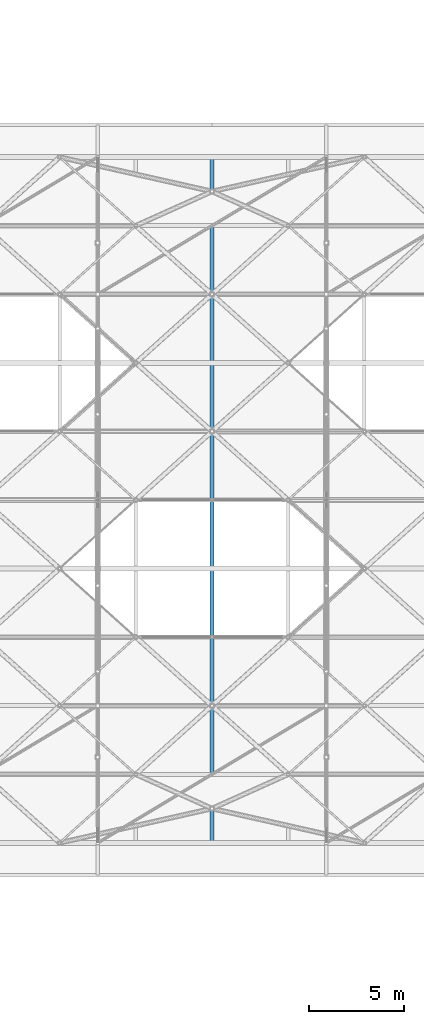
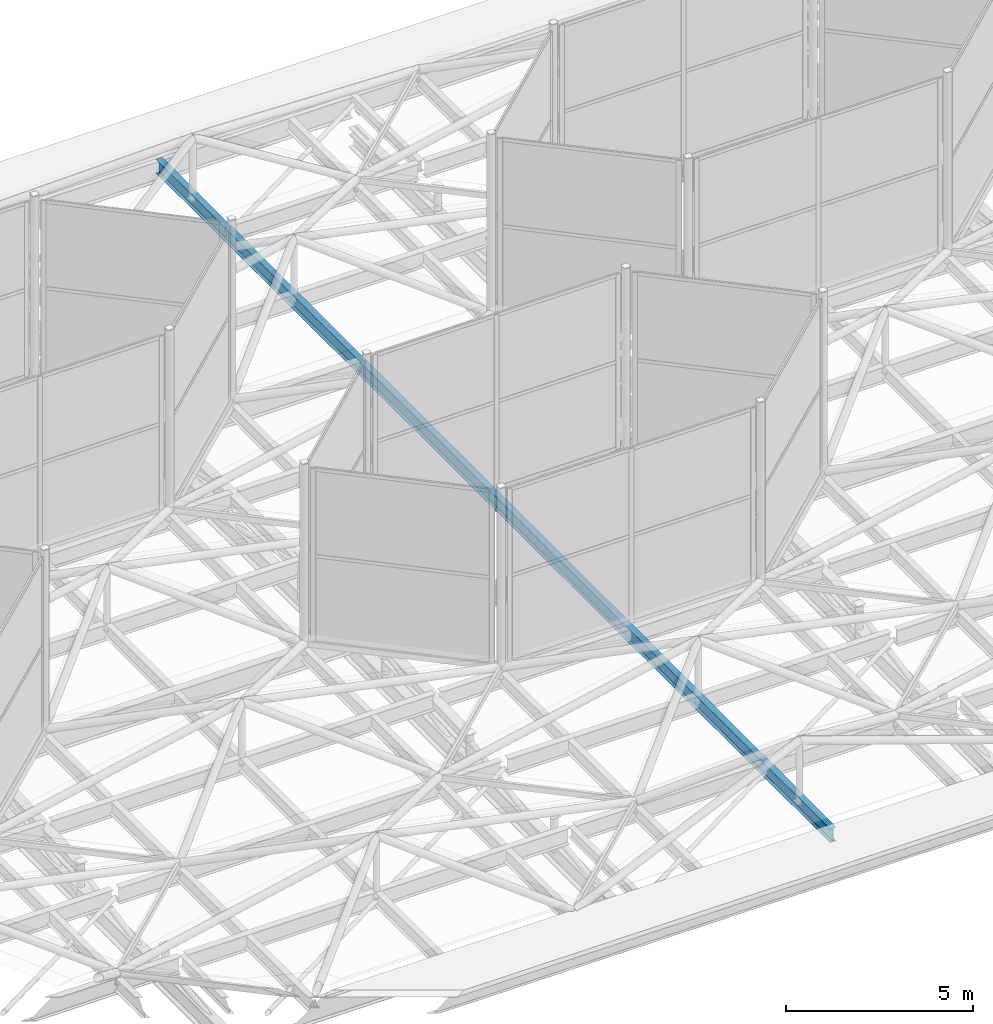
# One storey, part 95 of 239: 1 beam.
"""IFC4 building model written with IfcOpenShell, lengths in metres."""

from ifc_helpers import new_model, si_unit, direction, frame, origin, origin_2d, place, context, subcontext, project, spatial, i_section, extrude, material, material_profile, profile_set, type_object, element, save


model = new_model("IFC4")

# Units and contexts
model_context = context("Model", 3, precision=1e-05, world=origin(), true_north=direction((0.0, 1.0)))
body_context = subcontext(model_context, "Body", "Model", "MODEL_VIEW")
ifc_project = project(units=[si_unit("LENGTHUNIT", "METRE"), si_unit("AREAUNIT", "SQUARE_METRE"), si_unit("VOLUMEUNIT", "CUBIC_METRE"), si_unit("PLANEANGLEUNIT", "RADIAN"), si_unit("MASSUNIT", "GRAM", prefix="KILO")], contexts=[model_context])

# Site, building, storey
site_placement = place(None, origin())
site = spatial("IfcSite", under=ifc_project, at=site_placement, CompositionType="ELEMENT")
building_placement = place(site_placement, origin())
building = spatial("IfcBuilding", under=site, at=building_placement, Name="Dunvalen Ferry Terminal", CompositionType="ELEMENT")
storey_placement = place(building_placement, frame((0.0, 0.0, 9.840087890625)))
storey = spatial("IfcBuildingStorey", under=building, at=storey_placement, Name="L02", CompositionType="ELEMENT", Elevation=9.840087890625)

# Beam
ifc_material = material(Name="Steel S355", Category="steel")
ifc_material_profile = material_profile(ifc_material, i_section(OverallWidth=0.1904296875, OverallDepth=0.45703125, WebThickness=0.009033203125, FlangeThickness=0.014404296875, FilletRadius=0.01025390625, at=origin_2d()), Name="Steel S355")
ifc_profile_set = profile_set([ifc_material_profile], Name="Steel S355")
beam_type = type_object("IfcBeamType", Name="STR-BM-UKB457", PredefinedType="BEAM", material=ifc_profile_set)
beam_placement = place(storey_placement, frame((54.0, 50.39990234375, 0.771484375), z_axis=(0.0, 1.0, 0.0), x_axis=(-1.0, 0.0, 0.0)))
element("IfcBeam", 1, at=beam_placement, inside=storey, type_object=beam_type, Name="Departure Hall Hex-Grid Cross Beam B4.2", PredefinedType="BEAM", context=body_context, shape_type="SweptSolid", body=[
    extrude(i_section(OverallWidth=0.1904296875, OverallDepth=0.45703125, WebThickness=0.009033203125, FlangeThickness=0.014404296875, FilletRadius=0.01025390625, at=origin_2d()), origin(), (0.0, 0.0, 1.0), 36.0),
])

save(model, "model.ifc")
